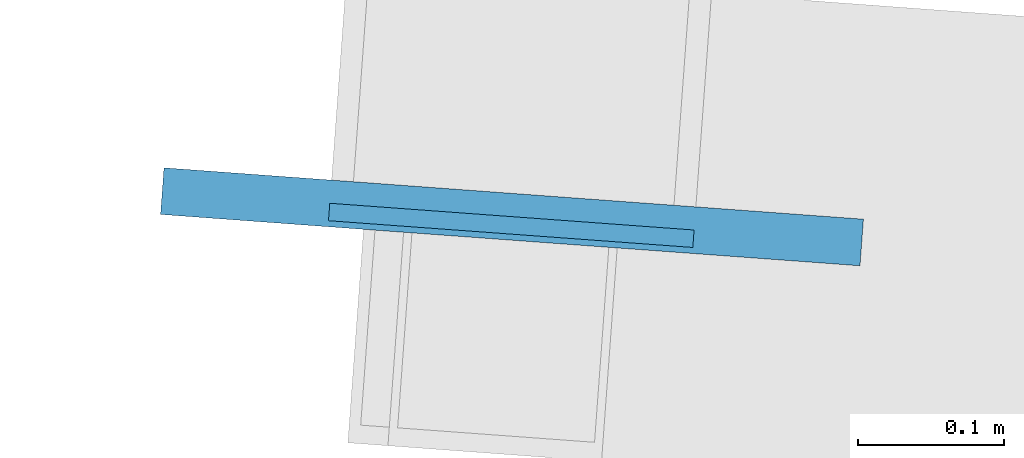
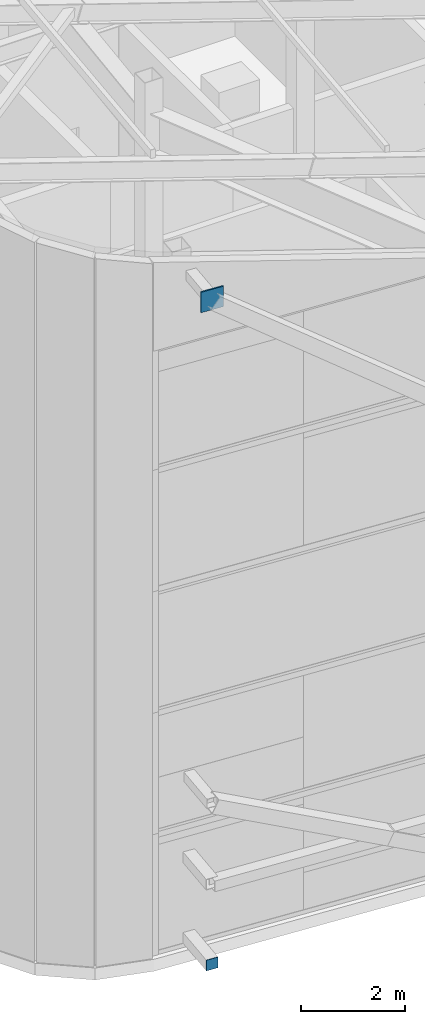
# One storey, part 34 of 56: 2 plates.
"""IFC4 building model written with IfcOpenShell, lengths in metres."""

from ifc_helpers import new_model, si_unit, direction, frame, origin, origin_2d, place, context, subcontext, project, spatial, rectangle, extrude, source, transform, mapped, material, layer, layer_set, type_object, element, save


model = new_model("IFC4")

# Units and contexts
model_context = context("Model", 3, precision=1e-05, world=origin(), true_north=direction((0.0, 1.0)))
body_context = subcontext(model_context, "Body", "Model", "MODEL_VIEW")
ifc_project = project(units=[si_unit("LENGTHUNIT", "METRE"), si_unit("AREAUNIT", "SQUARE_METRE"), si_unit("VOLUMEUNIT", "CUBIC_METRE"), si_unit("PLANEANGLEUNIT", "RADIAN"), si_unit("MASSUNIT", "GRAM", prefix="KILO")], contexts=[model_context])

# Site, building, storey
site_placement = place(None, origin())
site = spatial("IfcSite", under=ifc_project, at=site_placement, CompositionType="ELEMENT")
building_placement = place(site_placement, origin())
building = spatial("IfcBuilding", under=site, at=building_placement, Name="Taldren Reach Tower", CompositionType="ELEMENT")
storey_placement = place(building_placement, frame((0.0, 0.0, 253.050048828125)))
storey = spatial("IfcBuildingStorey", under=building, at=storey_placement, Name="L77", CompositionType="ELEMENT", Elevation=253.050048828125)

# Plates
ifc_material_1 = material(Name="Steel Gr 350 (C350L0)", Category="steel")
ifc_layer_1 = layer(ifc_material_1, 0.011962890625)
ifc_layer_set_1 = layer_set([ifc_layer_1], Name="Steel Gr 350 (C350L0)")
plate_type_1 = type_object("IfcPlateType", Name="PL-CAP-250", PredefinedType="SHEET", material=ifc_layer_set_1)
shared_shape_1 = source(origin(), body_context, "Body", "SweptSolid", [
    extrude(rectangle(XDim=0.25, YDim=0.011962890625, at=origin_2d()), origin(), (0.0, 0.0, 1.0), 0.25),
])
plate_1_placement = place(storey_placement, frame((15.026611328125, 4.908447265625, 0.094970703125), z_axis=(0.0, 0.0, 1.0), x_axis=(0.997314477224, -0.073238197128, 0.0)))
element("IfcPlate", 1, at=plate_1_placement, inside=storey, type_object=plate_type_1, Name="Tie strut end cap plate B5-S1 L77", PredefinedType="SHEET", context=body_context, shape_type="MappedRepresentation", body=[
    mapped(shared_shape_1, transform((0.0, 0.0, 0.0), scale=1.0)),
])
ifc_material_2 = material(Name="Steel Gr 450 (C450L0)", Category="steel")
ifc_layer_2 = layer(ifc_material_2, 0.031982421875)
ifc_layer_set_2 = layer_set([ifc_layer_2], Name="Steel Gr 450 (C450L0)")
plate_type_2 = type_object("IfcPlateType", Name="PL-GUSSET-32", PredefinedType="SHEET", material=ifc_layer_set_2)
shared_shape_2 = source(origin(), body_context, "Body", "SweptSolid", [
    extrude(rectangle(XDim=0.47998046875, YDim=0.031982421875, at=origin_2d()), origin(), (0.0, 0.0, 1.0), 0.47998046875),
])
plate_2_placement = place(storey_placement, frame((15.027099609375, 4.914306640625, 15.570556640625), z_axis=(0.0, 0.0, 1.0), x_axis=(0.997314477224, -0.073238197128, 0.0)))
element("IfcPlate", 2, at=plate_2_placement, inside=storey, type_object=plate_type_2, Name="Exoskeleton star-node gusset plate B5-S1 L77", PredefinedType="SHEET", context=body_context, shape_type="MappedRepresentation", body=[
    mapped(shared_shape_2, transform((0.0, 0.0, 0.0), scale=1.0)),
])

save(model, "model.ifc")
